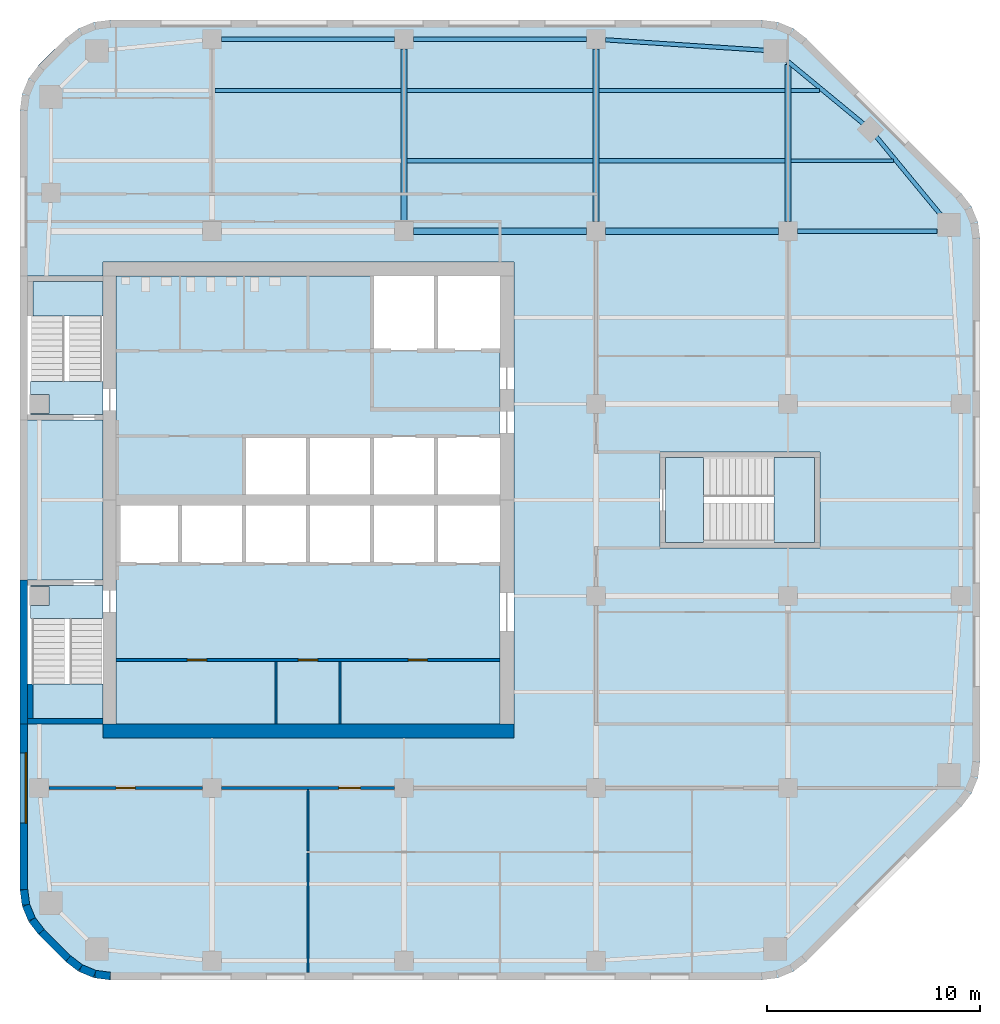
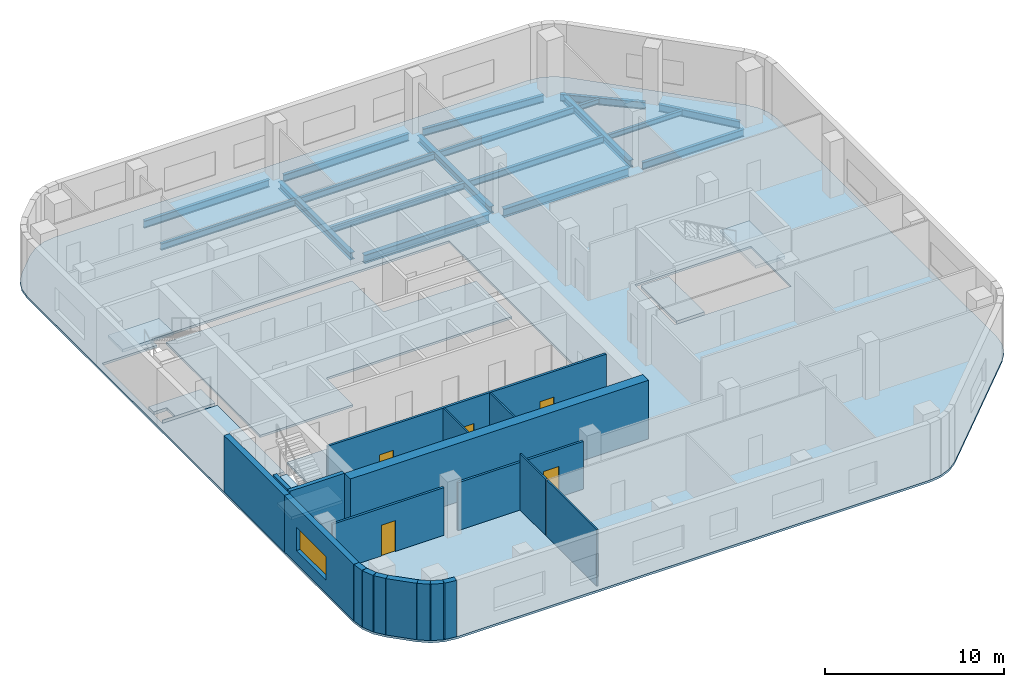
# One storey, part 2 of 8: 19 walls, 18 beams, 9 slabs, 5 doors, 1 window, 6 openings, 3 elements without a shape of their own.
"""IFC4 building model written with IfcOpenShell, lengths in metres."""

from ifc_helpers import new_model, si_unit, direction, frame, frame_2d, origin, origin_2d, place, context, subcontext, project, spatial, polyline, rectangle, i_section, outline, extrude, material, layer, layer_set, material_profile, profile_set, type_object, element, fill, aggregate, save


model = new_model("IFC4")

# Units and contexts
model_context = context("Model", 3, precision=1e-05, world=origin(), true_north=direction((0.0, 1.0)))
body_context = subcontext(model_context, "Body", "Model", "MODEL_VIEW")
ifc_project = project(units=[si_unit("LENGTHUNIT", "METRE"), si_unit("AREAUNIT", "SQUARE_METRE"), si_unit("VOLUMEUNIT", "CUBIC_METRE"), si_unit("PLANEANGLEUNIT", "RADIAN"), si_unit("MASSUNIT", "GRAM", prefix="KILO")], contexts=[model_context])

# Site, building, storey
site_placement = place(None, origin())
site = spatial("IfcSite", under=ifc_project, at=site_placement, CompositionType="ELEMENT")
building_placement = place(site_placement, origin())
building = spatial("IfcBuilding", under=site, at=building_placement, Name="Cinnabar Reach Civic Tower", CompositionType="ELEMENT")
storey_placement = place(building_placement, frame((0.0, 0.0, 165.0)))
storey = spatial("IfcBuildingStorey", under=building, at=storey_placement, Name="L39", CompositionType="ELEMENT", Elevation=165.0)

# Beams
ifc_material_1 = material(Name="Steel Q355B", Category="steel")
ifc_material_profile_1 = material_profile(ifc_material_1, i_section(OverallWidth=0.3, OverallDepth=0.488, WebThickness=0.011, FlangeThickness=0.018, FilletRadius=0.016, at=origin_2d()), Name="HM488x300x11x18")
ifc_profile_set_1 = profile_set([ifc_material_profile_1], Name="Steel Q355B")
beam_type_1 = type_object("IfcBeamType", Name="HM488x300x11x18 beam R 180", PredefinedType="BEAM", material=ifc_profile_set_1)
for number, where, z_axis, x_axis, name in (
    (1, (18.0, 44.552, -0.394), (0.0, 1.0, 0.0), (-1.0, 0.0, 0.0), "Girder T1 L39 6"),
    (2, (27.0, 44.552, -0.394), (0.0, 1.0, 0.0), (-1.0, 0.0, 0.0), "Girder T1 L39 11"),
):
    element("IfcBeam", number, at=place(storey_placement, frame(where, z_axis=z_axis, x_axis=x_axis)), inside=storey, type_object=beam_type_1, Name=name, PredefinedType="BEAM", context=body_context, shape_type="SweptSolid", body=[
        extrude(i_section(OverallWidth=0.3, OverallDepth=0.488, WebThickness=0.011, FlangeThickness=0.018, FilletRadius=0.016, at=origin_2d()), origin(), (0.0, 0.0, 1.0), 8.096),
    ])
beam_1_placement = place(storey_placement, frame((36.0, 44.552, -0.394), z_axis=(0.0, 1.0, 0.0), x_axis=(-1.0, 0.0, 0.0)))
element("IfcBeam", 3, at=beam_1_placement, inside=storey, type_object=beam_type_1, Name="Girder T1 L39 17", PredefinedType="BEAM", context=body_context, shape_type="SweptSolid", body=[
    extrude(i_section(OverallWidth=0.3, OverallDepth=0.488, WebThickness=0.011, FlangeThickness=0.018, FilletRadius=0.016, at=origin_2d()), origin(), (0.0, 0.0, 1.0), 7.3662),
])
ifc_material_profile_2 = material_profile(ifc_material_1, i_section(OverallWidth=0.3, OverallDepth=0.588, WebThickness=0.012, FlangeThickness=0.02, FilletRadius=0.016, at=origin_2d()), Name="HM588x300x12x20")
ifc_profile_set_2 = profile_set([ifc_material_profile_2], Name="Steel Q355B")
beam_type_2 = type_object("IfcBeamType", Name="HM588x300x12x20 beam R 180", PredefinedType="BEAM", material=ifc_profile_set_2)
for number, where, z_axis, x_axis, name in (
    (4, (18.452, 44.1, -0.444), (1.0, 0.0, 0.0), (0.0, 1.0, 0.0), "Girder T1 L39 14"),
    (5, (27.452, 44.1, -0.444), (1.0, 0.0, 0.0), (0.0, 1.0, 0.0), "Girder T1 L39 15"),
):
    element("IfcBeam", number, at=place(storey_placement, frame(where, z_axis=z_axis, x_axis=x_axis)), inside=storey, type_object=beam_type_2, Name=name, PredefinedType="BEAM", context=body_context, shape_type="SweptSolid", body=[
        extrude(i_section(OverallWidth=0.3, OverallDepth=0.588, WebThickness=0.012, FlangeThickness=0.02, FilletRadius=0.016, at=origin_2d()), origin(), (0.0, 0.0, 1.0), 8.096),
    ])
ifc_material_profile_3 = material_profile(ifc_material_1, i_section(OverallWidth=0.175, OverallDepth=0.35, WebThickness=0.007, FlangeThickness=0.011, FilletRadius=0.013, at=origin_2d()), Name="HN350x175x7x11")
ifc_profile_set_3 = profile_set([ifc_material_profile_3], Name="Steel Q355B")
beam_type_3 = type_object("IfcBeamType", Name="HN350x175x7x11 beam R 180", PredefinedType="BEAM", material=ifc_profile_set_3)
beam_2_placement = place(storey_placement, frame((36.152, 47.4, -0.325), z_axis=(1.0, 0.0, 0.0), x_axis=(0.0, 1.0, 0.0)))
element("IfcBeam", 6, at=beam_2_placement, inside=storey, type_object=beam_type_3, Name="Secondary beam T1 L39 20", PredefinedType="BEAM", context=body_context, shape_type="SweptSolid", body=[
    extrude(i_section(OverallWidth=0.175, OverallDepth=0.35, WebThickness=0.007, FlangeThickness=0.011, FilletRadius=0.013, at=origin_2d()), origin(), (0.0, 0.0, 1.0), 4.7866),
])
beam_3_placement = place(storey_placement, frame((36.152, 50.7, -0.325), z_axis=(1.0, 0.0, 0.0), x_axis=(0.0, 1.0, 0.0)))
element("IfcBeam", 7, at=beam_3_placement, inside=storey, type_object=beam_type_3, Name="Secondary beam T1 L39 25", PredefinedType="BEAM", context=body_context, shape_type="SweptSolid", body=[
    extrude(i_section(OverallWidth=0.175, OverallDepth=0.35, WebThickness=0.007, FlangeThickness=0.011, FilletRadius=0.013, at=origin_2d()), origin(), (0.0, 0.0, 1.0), 1.3249),
])
ifc_material_profile_4 = material_profile(ifc_material_1, i_section(OverallWidth=0.2, OverallDepth=0.45, WebThickness=0.009, FlangeThickness=0.014, FilletRadius=0.016, at=origin_2d()), Name="HN450x200x9x14")
ifc_profile_set_4 = profile_set([ifc_material_profile_4], Name="Steel Q355B")
beam_type_4 = type_object("IfcBeamType", Name="HN450x200x9x14 beam R 180", PredefinedType="BEAM", material=ifc_profile_set_4)
for number, where, z_axis, x_axis, name in (
    (8, (18.152, 47.4, -0.375), (1.0, 0.0, 0.0), (0.0, 1.0, 0.0), "Secondary beam T1 L39 18"),
    (9, (27.152, 47.4, -0.375), (1.0, 0.0, 0.0), (0.0, 1.0, 0.0), "Secondary beam T1 L39 19"),
    (10, (9.152, 50.7, -0.375), (1.0, 0.0, 0.0), (0.0, 1.0, 0.0), "Secondary beam T1 L39 22"),
    (11, (18.152, 50.7, -0.375), (1.0, 0.0, 0.0), (0.0, 1.0, 0.0), "Secondary beam T1 L39 23"),
    (12, (27.152, 50.7, -0.375), (1.0, 0.0, 0.0), (0.0, 1.0, 0.0), "Secondary beam T1 L39 24"),
):
    element("IfcBeam", number, at=place(storey_placement, frame(where, z_axis=z_axis, x_axis=x_axis)), inside=storey, type_object=beam_type_4, Name=name, PredefinedType="BEAM", context=body_context, shape_type="SweptSolid", body=[
        extrude(i_section(OverallWidth=0.2, OverallDepth=0.45, WebThickness=0.009, FlangeThickness=0.014, FilletRadius=0.016, at=origin_2d()), origin(), (0.0, 0.0, 1.0), 8.696),
    ])
ifc_material_profile_5 = material_profile(ifc_material_1, i_section(OverallWidth=0.2, OverallDepth=0.5, WebThickness=0.01, FlangeThickness=0.016, FilletRadius=0.016, at=origin_2d()), Name="HN500x200x10x16")
ifc_profile_set_5 = profile_set([ifc_material_profile_5], Name="Steel Q355B")
beam_type_5 = type_object("IfcBeamType", Name="HN500x200x10x16 beam R 180", PredefinedType="BEAM", material=ifc_profile_set_5)
for number, where, z_axis, x_axis, name in (
    (13, (43.1906, 44.8301, -0.4), (-0.63630880182, 0.771434448755, 0.0), (-0.771434448755, -0.63630880182, 0.0), "Edge beam T1 L39 9"),
    (14, (39.5598, 49.1142, -0.4), (-0.771434448755, 0.63630880182, 0.0), (-0.63630880182, -0.771434448755, 0.0), "Edge beam T1 L39 10"),
):
    element("IfcBeam", number, at=place(storey_placement, frame(where, z_axis=z_axis, x_axis=x_axis)), inside=storey, type_object=beam_type_5, Name=name, PredefinedType="BEAM", context=body_context, shape_type="SweptSolid", body=[
        extrude(i_section(OverallWidth=0.2, OverallDepth=0.5, WebThickness=0.01, FlangeThickness=0.016, FilletRadius=0.016, at=origin_2d()), origin(), (0.0, 0.0, 1.0), 4.8348),
    ])
beam_4_placement = place(storey_placement, frame((34.9661, 52.5754, -0.4), z_axis=(-0.99783894477, 0.065707231721, 0.0), x_axis=(-0.065707231721, -0.99783894477, 0.0)))
element("IfcBeam", 15, at=beam_4_placement, inside=storey, type_object=beam_type_5, Name="Edge beam T1 L39 11", PredefinedType="BEAM", context=body_context, shape_type="SweptSolid", body=[
    extrude(i_section(OverallWidth=0.2, OverallDepth=0.5, WebThickness=0.01, FlangeThickness=0.016, FilletRadius=0.016, at=origin_2d()), origin(), (0.0, 0.0, 1.0), 7.5304),
])
for number, where, z_axis, x_axis, name in (
    (16, (26.548, 53.1, -0.4), (-1.0, 0.0, 0.0), (0.0, -1.0, 0.0), "Edge beam T1 L39 12"),
    (17, (17.548, 53.1, -0.4), (-1.0, 0.0, 0.0), (0.0, -1.0, 0.0), "Edge beam T1 L39 13"),
):
    element("IfcBeam", number, at=place(storey_placement, frame(where, z_axis=z_axis, x_axis=x_axis)), inside=storey, type_object=beam_type_5, Name=name, PredefinedType="BEAM", context=body_context, shape_type="SweptSolid", body=[
        extrude(i_section(OverallWidth=0.2, OverallDepth=0.5, WebThickness=0.01, FlangeThickness=0.016, FilletRadius=0.016, at=origin_2d()), origin(), (0.0, 0.0, 1.0), 8.096),
    ])
beam_5_placement = place(storey_placement, frame((36.452, 44.1, -0.4), z_axis=(1.0, 0.0, 0.0), x_axis=(0.0, 1.0, 0.0)))
element("IfcBeam", 18, at=beam_5_placement, inside=storey, type_object=beam_type_5, Name="Girder T1 L39 16", PredefinedType="BEAM", context=body_context, shape_type="SweptSolid", body=[
    extrude(i_section(OverallWidth=0.2, OverallDepth=0.5, WebThickness=0.01, FlangeThickness=0.016, FilletRadius=0.016, at=origin_2d()), origin(), (0.0, 0.0, 1.0), 6.5429),
])

# Slab
ifc_material_2 = material(Name="Concrete C40", Category="concrete")
ifc_layer_1 = layer(ifc_material_2, 0.15)
ifc_layer_set_1 = layer_set([ifc_layer_1], Name="Composite floor slab 150 REI 150")
slab_type_1 = type_object("IfcSlabType", Name="Composite floor slab 150 REI 150", PredefinedType="FLOOR", material=ifc_layer_set_1)
slab_1_placement = place(storey_placement, frame((0.0, 0.0, -0.15)))
element("IfcSlab", 19, at=slab_1_placement, inside=storey, type_object=slab_type_1, Name="Composite floor slab 150 T1 L39", PredefinedType="FLOOR", context=body_context, shape_type="SweptSolid", body=[
    extrude(outline(polyline([(0.8787, 11.1213), (0.4019, 11.7426), (0.1022, 12.4662), (0.0, 13.2426), (0.0, 49.7574), (0.1022, 50.5338), (0.4019, 51.2574), (0.8787, 51.8787), (2.1213, 53.1213), (2.7426, 53.5981), (3.4662, 53.8978), (4.2426, 54.0), (34.7574, 54.0), (35.5338, 53.8978), (36.2574, 53.5981), (36.8787, 53.1213), (44.1213, 45.8787), (44.5981, 45.2574), (44.8978, 44.5338), (45.0, 43.7574), (45.0, 19.2426), (44.8978, 18.4662), (44.5981, 17.7426), (44.1213, 17.1213), (36.8787, 9.8787), (36.2574, 9.4019), (35.5338, 9.1022), (34.7574, 9.0), (4.2426, 9.0), (3.4662, 9.1022), (2.7426, 9.4019), (2.1213, 9.8787), (0.8787, 11.1213)]), holes=[polyline([(0.36, 21.0), (3.9, 21.0), (3.9, 20.35), (23.15, 20.35), (23.15, 42.65), (3.9, 42.65), (3.9, 42.0), (0.36, 42.0), (0.36, 35.25), (3.9, 35.25), (3.9, 27.75), (0.36, 27.75), (0.36, 21.0)]), polyline([(30.0, 33.75), (30.0, 29.25), (37.5, 29.25), (37.5, 33.75), (30.0, 33.75)])]), origin(), (0.0, 0.0, 1.0), 0.15),
])

# Stair, slabs
ifc_material_3 = material(Name="Concrete C40/50", Category="concrete")
stair_type = type_object("IfcStairType", Name="T1 Exit stair, half-turn", PredefinedType="HALF_TURN_STAIR", material=ifc_material_3)
stair_1_placement = place(storey_placement, origin())
stair_1 = element("IfcStair", 20, at=stair_1_placement, inside=storey, type_object=stair_type, Name="Stair T1-S1", PredefinedType="HALF_TURN_STAIR")
ifc_layer_2 = layer(ifc_material_3, 0.2)
ifc_layer_set_2 = layer_set([ifc_layer_2], Name="T1 Stair landing 200, Concrete C40/50")
slab_type_2 = type_object("IfcSlabType", Name="T1 Stair landing 200, Concrete C40/50", PredefinedType="LANDING", material=ifc_layer_set_2)
slab_2_placement = place(storey_placement, frame((0.0, 0.0, -0.2)))
slab_2 = element("IfcSlab", 21, at=slab_2_placement, type_object=slab_type_2, Name="T1-S1 landing 1", PredefinedType="LANDING", context=body_context, shape_type="SweptSolid", body=[
    extrude(outline(polyline([(0.5, 27.5), (3.9, 27.5), (3.9, 25.95), (0.5, 25.95), (0.5, 26.55), (1.35, 26.55), (1.35, 27.45), (0.5, 27.45), (0.5, 27.5)])), origin(), (0.0, 0.0, 1.0), 0.2),
])
slab_3_placement = place(storey_placement, frame((0.0, 0.0, 1.8)))
slab_3 = element("IfcSlab", 22, at=slab_3_placement, type_object=slab_type_2, Name="T1-S1 landing 2", PredefinedType="LANDING", context=body_context, shape_type="SweptSolid", body=[
    extrude(outline(polyline([(0.6, 21.25), (0.6, 22.87), (3.9, 22.87), (3.9, 21.25), (0.6, 21.25)])), origin(), (0.0, 0.0, 1.0), 0.2),
])
aggregate(stair_1, [slab_2, slab_3])

stair_2_placement = place(storey_placement, origin())
stair_2 = element("IfcStair", 23, at=stair_2_placement, inside=storey, type_object=stair_type, Name="Stair T1-S2", PredefinedType="HALF_TURN_STAIR")
slab_4_placement = place(storey_placement, frame((0.0, 0.0, -0.2)))
slab_4 = element("IfcSlab", 24, at=slab_4_placement, type_object=slab_type_2, Name="T1-S2 landing 1", PredefinedType="LANDING", context=body_context, shape_type="SweptSolid", body=[
    extrude(outline(polyline([(0.5, 37.05), (3.9, 37.05), (3.9, 35.5), (0.5, 35.5), (0.5, 35.55), (1.35, 35.55), (1.35, 36.45), (0.5, 36.45), (0.5, 37.05)])), origin(), (0.0, 0.0, 1.0), 0.2),
])
slab_5_placement = place(storey_placement, frame((0.0, 0.0, 1.8)))
slab_5 = element("IfcSlab", 25, at=slab_5_placement, type_object=slab_type_2, Name="T1-S2 landing 2", PredefinedType="LANDING", context=body_context, shape_type="SweptSolid", body=[
    extrude(outline(polyline([(0.6, 40.13), (0.6, 41.75), (3.9, 41.75), (3.9, 40.13), (0.6, 40.13)])), origin(), (0.0, 0.0, 1.0), 0.2),
])
aggregate(stair_2, [slab_4, slab_5])

stair_3_placement = place(storey_placement, origin())
stair_3 = element("IfcStair", 26, at=stair_3_placement, inside=storey, type_object=stair_type, Name="Stair T1-S3", PredefinedType="HALF_TURN_STAIR")
slab_6_placement = place(storey_placement, frame((0.0, 0.0, -0.2)))
slab_6 = element("IfcSlab", 27, at=slab_6_placement, type_object=slab_type_2, Name="T1-S3 landing 1", PredefinedType="LANDING", context=body_context, shape_type="SweptSolid", body=[
    extrude(outline(polyline([(30.25, 29.5), (32.05, 29.5), (32.05, 33.5), (30.25, 33.5), (30.25, 29.5)])), origin(), (0.0, 0.0, 1.0), 0.2),
])
slab_7_placement = place(storey_placement, frame((0.0, 0.0, 1.8)))
slab_7 = element("IfcSlab", 28, at=slab_7_placement, type_object=slab_type_2, Name="T1-S3 landing 2", PredefinedType="LANDING", context=body_context, shape_type="SweptSolid", body=[
    extrude(outline(polyline([(35.35, 29.5), (37.25, 29.5), (37.25, 33.5), (35.35, 33.5), (35.35, 29.5)])), origin(), (0.0, 0.0, 1.0), 0.2),
])
aggregate(stair_3, [slab_6, slab_7])

# Slabs
ifc_layer_3 = layer(ifc_material_3, 0.15)
ifc_layer_set_3 = layer_set([ifc_layer_3], Name="T1 core floor slab 150")
slab_type_3 = type_object("IfcSlabType", Name="T1 core floor slab 150", PredefinedType="FLOOR", material=ifc_layer_set_3)
slab_8_placement = place(storey_placement, frame((0.0, 0.0, -0.15)))
element("IfcSlab", 29, at=slab_8_placement, inside=storey, type_object=slab_type_3, Name="Core floor slab L39", PredefinedType="FLOOR", context=body_context, shape_type="SweptSolid", body=[
    extrude(outline(polyline([(22.5, 21.0), (4.5, 21.0), (4.5, 28.5), (7.5, 28.5), (10.5, 28.5), (13.5, 28.5), (16.5, 28.5), (19.5, 28.5), (22.5, 28.5), (22.5, 21.0)])), origin(), (0.0, 0.0, 1.0), 0.15),
])
slab_9_placement = place(storey_placement, frame((0.0, 0.0, -0.15)))
element("IfcSlab", 30, at=slab_9_placement, inside=storey, type_object=slab_type_3, Name="Core floor slab L39", PredefinedType="FLOOR", context=body_context, shape_type="SweptSolid", body=[
    extrude(outline(polyline([(22.5, 34.5), (19.5, 34.5), (16.5, 34.5), (13.5, 34.5), (10.5, 34.5), (10.5, 31.5), (7.5, 31.5), (4.5, 31.5), (4.5, 42.0), (16.5, 42.0), (16.5, 38.5), (19.5, 38.5), (22.5, 38.5), (22.5, 34.5)])), origin(), (0.0, 0.0, 1.0), 0.15),
])

# Walls
ifc_material_4 = material(Name="Facing brick with insulated backing", Category="masonry")
ifc_layer_4 = layer(ifc_material_4, 0.36)
ifc_layer_set_4 = layer_set([ifc_layer_4], Name="Brick corner wall")
wall_type_1 = type_object("IfcWallType", Name="Brick corner wall", PredefinedType="STANDARD", material=ifc_layer_set_4)
for number, where, z_axis, x_axis, name in (
    (31, (0.183, 13.2314, 0.0), (0.0, 0.0, 1.0), (0.13055608231, -0.99144092581, 0.0), "Brick corner wall"),
    (32, (0.2819, 12.5027, 0.0), (0.0, 0.0, 1.0), (0.382702709855, -0.923871547278, 0.0), "Brick corner wall"),
):
    element("IfcWall", number, at=place(storey_placement, frame(where, z_axis=z_axis, x_axis=x_axis)), inside=storey, type_object=wall_type_1, Name=name, PredefinedType="STANDARD", context=body_context, shape_type="SweptSolid", body=[
        extrude(rectangle(XDim=0.7131, YDim=0.36, at=frame_2d((0.3565, 0.0))), origin(), (0.0, 0.0, 1.0), 3.85),
    ])
for number, where, z_axis, x_axis, name in (
    (33, (0.566, 11.8245, 0.0), (0.0, 0.0, 1.0), (0.608802368033, -0.793321924995, 0.0), "Brick corner wall"),
    (34, (2.2587, 10.0002, 0.0), (0.0, 0.0, 1.0), (0.793321924995, -0.608802368033, 0.0), "Brick corner wall"),
):
    element("IfcWall", number, at=place(storey_placement, frame(where, z_axis=z_axis, x_axis=x_axis)), inside=storey, type_object=wall_type_1, Name=name, PredefinedType="STANDARD", context=body_context, shape_type="SweptSolid", body=[
        extrude(rectangle(XDim=0.7132, YDim=0.36, at=frame_2d((0.3566, 0.0))), origin(), (0.0, 0.0, 1.0), 3.85),
    ])
for number, where, z_axis, x_axis, name in (
    (35, (2.8439, 9.5548, 0.0), (0.0, 0.0, 1.0), (0.923871547278, -0.382702709855, 0.0), "Brick corner wall"),
    (36, (3.5244, 9.2761, 0.0), (0.0, 0.0, 1.0), (0.99144092581, -0.13055608231, 0.0), "Brick corner wall"),
):
    element("IfcWall", number, at=place(storey_placement, frame(where, z_axis=z_axis, x_axis=x_axis)), inside=storey, type_object=wall_type_1, Name=name, PredefinedType="STANDARD", context=body_context, shape_type="SweptSolid", body=[
        extrude(rectangle(XDim=0.7131, YDim=0.36, at=frame_2d((0.3565, 0.0))), origin(), (0.0, 0.0, 1.0), 3.85),
    ])
ifc_layer_5 = layer(ifc_material_4, 0.36)
ifc_layer_set_5 = layer_set([ifc_layer_5], Name="Brick pier and spandrel wall")
wall_type_2 = type_object("IfcWallType", Name="Brick pier and spandrel wall", PredefinedType="STANDARD", material=ifc_layer_set_5)
wall_1_placement = place(storey_placement, frame((0.18, 27.75, 0.0), z_axis=(0.0, 0.0, 1.0), x_axis=(0.0, -1.0, 0.0)))
element("IfcWall", 37, at=wall_1_placement, inside=storey, type_object=wall_type_2, Name="Brick facade wall", PredefinedType="STANDARD", context=body_context, shape_type="SweptSolid", body=[
    extrude(rectangle(XDim=6.75, YDim=0.36, at=frame_2d((3.375, 0.0))), origin(), (0.0, 0.0, 1.0), 3.85),
])

# Wall, opening, window
wall_2_placement = place(storey_placement, frame((0.18, 21.0, 0.0), z_axis=(0.0, 0.0, 1.0), x_axis=(0.0, -1.0, 0.0)))
wall_2 = element("IfcWall", 38, at=wall_2_placement, inside=storey, type_object=wall_type_2, Name="Brick facade wall", PredefinedType="STANDARD", context=body_context, shape_type="SweptSolid", body=[
    extrude(rectangle(XDim=7.7574, YDim=0.36, at=frame_2d((3.8787, 0.0))), origin(), (0.0, 0.0, 1.0), 3.85),
])
opening_1_placement = place(wall_2_placement, frame((1.35, 0.0, 0.9)))
opening_1 = element("IfcOpeningElement", 39, at=opening_1_placement, cuts=wall_2, Name="Opening W1820", PredefinedType="OPENING", context=body_context, shape_type="SweptSolid", body=[
    extrude(rectangle(XDim=3.3, YDim=1.6, at=frame_2d((1.65, 0.8))), frame((0.0, 0.19, 0.0), z_axis=(0.0, -1.0, 0.0), x_axis=(1.0, 0.0, 0.0)), (0.0, 0.0, 1.0), 0.38),
])
ifc_material_5 = material(Name="Clear double glazing in aluminium frame", Category="aluminium")
window_type = type_object("IfcWindowType", Name="Deep-set window A", PartitioningType="SINGLE_PANEL", PredefinedType="WINDOW", material=ifc_material_5)
window_placement = place(opening_1_placement, origin())
window = element("IfcWindow", 40, at=window_placement, inside=storey, type_object=window_type, Name="Window west face", OverallHeight=1.6, OverallWidth=3.3, PartitioningType="SINGLE_PANEL", PredefinedType="WINDOW", context=body_context, shape_type="SweptSolid", body=[
    extrude(rectangle(XDim=3.3, YDim=1.6, at=frame_2d((1.65, 0.8))), frame((0.0, 0.13, 0.0), z_axis=(0.0, -1.0, 0.0), x_axis=(1.0, 0.0, 0.0)), (0.0, 0.0, 1.0), 0.06),
])
fill(opening_1, window)

# Walls
wall_3_placement = place(storey_placement, frame((1.006, 11.2486, 0.0), z_axis=(0.0, 0.0, 1.0), x_axis=(0.707106781187, -0.707106781187, 0.0)))
element("IfcWall", 41, at=wall_3_placement, inside=storey, type_object=wall_type_2, Name="Brick facade wall", PredefinedType="STANDARD", context=body_context, shape_type="SweptSolid", body=[
    extrude(rectangle(XDim=1.7573, YDim=0.36, at=frame_2d((0.8787, 0.0))), origin(), (0.0, 0.0, 1.0), 3.85),
])
ifc_material_6 = material(Name="Concrete C70", Category="concrete")
ifc_layer_6 = layer(ifc_material_6, 0.65)
ifc_layer_set_6 = layer_set([ifc_layer_6], Name="Core wall 650 EI 180")
wall_type_3 = type_object("IfcWallType", Name="Core wall 650 EI 180", PredefinedType="SOLIDWALL", material=ifc_layer_set_6)
wall_4_placement = place(storey_placement, frame((3.9, 20.675, 0.0), z_axis=(0.0, 0.0, 1.0), x_axis=(1.0, 0.0, 0.0)))
element("IfcWall", 42, at=wall_4_placement, inside=storey, type_object=wall_type_3, Name="Core wall T1 L39 S", PredefinedType="SOLIDWALL", context=body_context, shape_type="SweptSolid", body=[
    extrude(rectangle(XDim=19.25, YDim=0.65, at=frame_2d((9.625, 0.0))), origin(), (0.0, 0.0, 1.0), 4.0),
])

# Wall, opening, door
ifc_material_7 = material(Name="Gypsum board on steel studs, double layer", Category="steel")
ifc_layer_7 = layer(ifc_material_7, 0.15)
ifc_layer_set_7 = layer_set([ifc_layer_7], Name="Corridor wall 150 T1")
wall_type_4 = type_object("IfcWallType", Name="Corridor wall 150 T1", PredefinedType="PARTITIONING", material=ifc_layer_set_7)
wall_5_placement = place(storey_placement, frame((1.35, 18.0, 0.0), z_axis=(0.0, 0.0, 1.0), x_axis=(1.0, 0.0, 0.0)))
wall_5 = element("IfcWall", 43, at=wall_5_placement, inside=storey, type_object=wall_type_4, Name="Corridor wall 18", PredefinedType="PARTITIONING", context=body_context, shape_type="SweptSolid", body=[
    extrude(rectangle(XDim=7.2, YDim=0.15, at=frame_2d((3.6, 0.0))), origin(), (0.0, 0.0, 1.0), 3.262),
])
opening_2_placement = place(wall_5_placement, frame((3.15, 0.0, 0.0)))
opening_2 = element("IfcOpeningElement", 44, at=opening_2_placement, cuts=wall_5, Name="Opening D4616", PredefinedType="OPENING", context=body_context, shape_type="SweptSolid", body=[
    extrude(rectangle(XDim=0.9, YDim=2.1, at=frame_2d((0.45, 1.05))), frame((0.0, 0.085, 0.0), z_axis=(0.0, -1.0, 0.0), x_axis=(1.0, 0.0, 0.0)), (0.0, 0.0, 1.0), 0.17),
])
ifc_material_8 = material(Name="Timber door leaf in steel frame", Category="steel")
door_type_1 = type_object("IfcDoorType", Name="Single swing door 900 x 2100 corridor T1", OperationType="SINGLE_SWING_LEFT", PredefinedType="DOOR", material=ifc_material_8)
door_1_placement = place(opening_2_placement, frame((0.9, 0.0, 0.0), z_axis=(0.0, 0.0, 1.0), x_axis=(-1.0, 0.0, 0.0)))
door_1 = element("IfcDoor", 45, at=door_1_placement, inside=storey, type_object=door_type_1, Name="Door D4616", OperationType="SINGLE_SWING_RIGHT", OverallHeight=2.1, OverallWidth=0.9, PredefinedType="DOOR", context=body_context, shape_type="SweptSolid", body=[
    extrude(rectangle(XDim=0.9, YDim=2.1, at=frame_2d((0.45, 1.05))), frame((0.0, 0.025, 0.0), z_axis=(0.0, -1.0, 0.0), x_axis=(1.0, 0.0, 0.0)), (0.0, 0.0, 1.0), 0.05),
])
fill(opening_2, door_1)

wall_6_placement = place(storey_placement, frame((9.45, 18.0, 0.0), z_axis=(0.0, 0.0, 1.0), x_axis=(1.0, 0.0, 0.0)))
wall_6 = element("IfcWall", 46, at=wall_6_placement, inside=storey, type_object=wall_type_4, Name="Corridor wall 19", PredefinedType="PARTITIONING", context=body_context, shape_type="SweptSolid", body=[
    extrude(rectangle(XDim=8.1, YDim=0.15, at=frame_2d((4.05, 0.0))), origin(), (0.0, 0.0, 1.0), 3.262),
])
opening_3_placement = place(wall_6_placement, frame((5.5, 0.0, 0.0)))
opening_3 = element("IfcOpeningElement", 47, at=opening_3_placement, cuts=wall_6, Name="Opening D4617", PredefinedType="OPENING", context=body_context, shape_type="SweptSolid", body=[
    extrude(rectangle(XDim=1.0, YDim=2.1, at=frame_2d((0.5, 1.05))), frame((0.0, 0.085, 0.0), z_axis=(0.0, -1.0, 0.0), x_axis=(1.0, 0.0, 0.0)), (0.0, 0.0, 1.0), 0.17),
])
door_type_2 = type_object("IfcDoorType", Name="Tenancy entrance door 1000 x 2100 T1", OperationType="SINGLE_SWING_LEFT", PredefinedType="DOOR", material=ifc_material_8)
door_2_placement = place(opening_3_placement, frame((1.0, 0.0, 0.0), z_axis=(0.0, 0.0, 1.0), x_axis=(-1.0, 0.0, 0.0)))
door_2 = element("IfcDoor", 48, at=door_2_placement, inside=storey, type_object=door_type_2, Name="Door D4617", OperationType="SINGLE_SWING_LEFT", OverallHeight=2.1, OverallWidth=1.0, PredefinedType="DOOR", context=body_context, shape_type="SweptSolid", body=[
    extrude(rectangle(XDim=1.0, YDim=2.1, at=frame_2d((0.5, 1.05))), frame((0.0, 0.025, 0.0), z_axis=(0.0, -1.0, 0.0), x_axis=(1.0, 0.0, 0.0)), (0.0, 0.0, 1.0), 0.05),
])
fill(opening_3, door_2)

# Wall, openings, doors
wall_7_placement = place(storey_placement, frame((4.5, 24.0, 0.0), z_axis=(0.0, 0.0, 1.0), x_axis=(1.0, 0.0, 0.0)))
wall_7 = element("IfcWall", 49, at=wall_7_placement, inside=storey, type_object=wall_type_4, Name="Corridor wall 26", PredefinedType="PARTITIONING", context=body_context, shape_type="SweptSolid", body=[
    extrude(rectangle(XDim=18.0, YDim=0.15, at=frame_2d((9.0, 0.0))), origin(), (0.0, 0.0, 1.0), 3.85),
])
opening_4_placement = place(wall_7_placement, frame((3.35, 0.0, 0.0)))
opening_4 = element("IfcOpeningElement", 50, at=opening_4_placement, cuts=wall_7, Name="Opening D4602", PredefinedType="OPENING", context=body_context, shape_type="SweptSolid", body=[
    extrude(rectangle(XDim=0.9, YDim=2.1, at=frame_2d((0.45, 1.05))), frame((0.0, 0.085, 0.0), z_axis=(0.0, -1.0, 0.0), x_axis=(1.0, 0.0, 0.0)), (0.0, 0.0, 1.0), 0.17),
])
opening_5_placement = place(wall_7_placement, frame((8.55, 0.0, 0.0)))
opening_5 = element("IfcOpeningElement", 51, at=opening_5_placement, cuts=wall_7, Name="Opening D4603", PredefinedType="OPENING", context=body_context, shape_type="SweptSolid", body=[
    extrude(rectangle(XDim=0.9, YDim=2.1, at=frame_2d((0.45, 1.05))), frame((0.0, 0.085, 0.0), z_axis=(0.0, -1.0, 0.0), x_axis=(1.0, 0.0, 0.0)), (0.0, 0.0, 1.0), 0.17),
])
opening_6_placement = place(wall_7_placement, frame((13.7, 0.0, 0.0)))
opening_6 = element("IfcOpeningElement", 52, at=opening_6_placement, cuts=wall_7, Name="Opening D4604", PredefinedType="OPENING", context=body_context, shape_type="SweptSolid", body=[
    extrude(rectangle(XDim=0.9, YDim=2.1, at=frame_2d((0.45, 1.05))), frame((0.0, 0.085, 0.0), z_axis=(0.0, -1.0, 0.0), x_axis=(1.0, 0.0, 0.0)), (0.0, 0.0, 1.0), 0.17),
])
door_3_placement = place(opening_4_placement, frame((0.9, 0.0, 0.0), z_axis=(0.0, 0.0, 1.0), x_axis=(-1.0, 0.0, 0.0)))
door_3 = element("IfcDoor", 53, at=door_3_placement, inside=storey, type_object=door_type_1, Name="Door D4602", OperationType="SINGLE_SWING_RIGHT", OverallHeight=2.1, OverallWidth=0.9, PredefinedType="DOOR", context=body_context, shape_type="SweptSolid", body=[
    extrude(rectangle(XDim=0.9, YDim=2.1, at=frame_2d((0.45, 1.05))), frame((0.0, 0.025, 0.0), z_axis=(0.0, -1.0, 0.0), x_axis=(1.0, 0.0, 0.0)), (0.0, 0.0, 1.0), 0.05),
])
fill(opening_4, door_3)
door_4_placement = place(opening_5_placement, frame((0.9, 0.0, 0.0), z_axis=(0.0, 0.0, 1.0), x_axis=(-1.0, 0.0, 0.0)))
door_4 = element("IfcDoor", 54, at=door_4_placement, inside=storey, type_object=door_type_1, Name="Door D4603", OperationType="SINGLE_SWING_RIGHT", OverallHeight=2.1, OverallWidth=0.9, PredefinedType="DOOR", context=body_context, shape_type="SweptSolid", body=[
    extrude(rectangle(XDim=0.9, YDim=2.1, at=frame_2d((0.45, 1.05))), frame((0.0, 0.025, 0.0), z_axis=(0.0, -1.0, 0.0), x_axis=(1.0, 0.0, 0.0)), (0.0, 0.0, 1.0), 0.05),
])
fill(opening_5, door_4)
door_5_placement = place(opening_6_placement, frame((0.9, 0.0, 0.0), z_axis=(0.0, 0.0, 1.0), x_axis=(-1.0, 0.0, 0.0)))
door_5 = element("IfcDoor", 55, at=door_5_placement, inside=storey, type_object=door_type_1, Name="Door D4604", OperationType="SINGLE_SWING_RIGHT", OverallHeight=2.1, OverallWidth=0.9, PredefinedType="DOOR", context=body_context, shape_type="SweptSolid", body=[
    extrude(rectangle(XDim=0.9, YDim=2.1, at=frame_2d((0.45, 1.05))), frame((0.0, 0.025, 0.0), z_axis=(0.0, -1.0, 0.0), x_axis=(1.0, 0.0, 0.0)), (0.0, 0.0, 1.0), 0.05),
])
fill(opening_6, door_5)

# Walls
ifc_material_9 = material(Name="Gypsum board on steel studs", Category="steel")
ifc_layer_8 = layer(ifc_material_9, 0.1)
ifc_layer_set_8 = layer_set([ifc_layer_8], Name="Partition wall 100 T1")
wall_type_5 = type_object("IfcWallType", Name="Partition wall 100 T1", PredefinedType="PARTITIONING", material=ifc_layer_set_8)
wall_8_placement = place(storey_placement, frame((13.5, 15.05, 0.0), z_axis=(0.0, 0.0, 1.0), x_axis=(0.0, 1.0, 0.0)))
element("IfcWall", 56, at=wall_8_placement, inside=storey, type_object=wall_type_5, Name="Partition wall 48", PredefinedType="PARTITIONING", context=body_context, shape_type="SweptSolid", body=[
    extrude(rectangle(XDim=2.875, YDim=0.1, at=frame_2d((1.4375, 0.0))), origin(), (0.0, 0.0, 1.0), 3.85),
])
wall_9_placement = place(storey_placement, frame((13.5, 9.36, 0.0), z_axis=(0.0, 0.0, 1.0), x_axis=(0.0, 1.0, 0.0)))
element("IfcWall", 57, at=wall_9_placement, inside=storey, type_object=wall_type_5, Name="Partition wall 49", PredefinedType="PARTITIONING", context=body_context, shape_type="SweptSolid", body=[
    extrude(rectangle(XDim=5.59, YDim=0.1, at=frame_2d((2.795, 0.0))), origin(), (0.0, 0.0, 1.0), 3.85),
])
for number, where, z_axis, x_axis, name in (
    (58, (12.0, 21.0, 0.0), (0.0, 0.0, 1.0), (0.0, 1.0, 0.0), "Partition wall 62"),
    (59, (15.0, 21.0, 0.0), (0.0, 0.0, 1.0), (0.0, 1.0, 0.0), "Partition wall 63"),
):
    element("IfcWall", number, at=place(storey_placement, frame(where, z_axis=z_axis, x_axis=x_axis)), inside=storey, type_object=wall_type_5, Name=name, PredefinedType="PARTITIONING", context=body_context, shape_type="SweptSolid", body=[
        extrude(rectangle(XDim=2.925, YDim=0.1, at=frame_2d((1.4625, 0.0))), origin(), (0.0, 0.0, 1.0), 3.85),
    ])
ifc_material_10 = material(Name="Concrete C60", Category="concrete")
ifc_layer_9 = layer(ifc_material_10, 0.25)
ifc_layer_set_9 = layer_set([ifc_layer_9], Name="Stair shaft wall 250 EI 120")
wall_type_6 = type_object("IfcWallType", Name="Stair shaft wall 250 EI 120", PredefinedType="SOLIDWALL", material=ifc_layer_set_9)
wall_10_placement = place(storey_placement, frame((0.36, 21.125, 0.0), z_axis=(0.0, 0.0, 1.0), x_axis=(1.0, 0.0, 0.0)))
element("IfcWall", 60, at=wall_10_placement, inside=storey, type_object=wall_type_6, Name="Stair shaft wall T1-S1 L39", PredefinedType="SOLIDWALL", context=body_context, shape_type="SweptSolid", body=[
    extrude(rectangle(XDim=3.54, YDim=0.25, at=frame_2d((1.77, 0.0))), origin(), (0.0, 0.0, 1.0), 4.0),
])
ifc_layer_10 = layer(ifc_material_3, 0.24)
ifc_layer_set_10 = layer_set([ifc_layer_10], Name="T1 landing bearer wall 240")
wall_type_7 = type_object("IfcWallType", Name="T1 landing bearer wall 240", PredefinedType="STANDARD", material=ifc_layer_set_10)
wall_11_placement = place(storey_placement, frame((0.48, 21.25, 0.0), z_axis=(0.0, 0.0, 1.0), x_axis=(0.0, 1.0, 0.0)))
element("IfcWall", 61, at=wall_11_placement, inside=storey, type_object=wall_type_7, Name="T1-S1 landing bearer wall", PredefinedType="STANDARD", context=body_context, shape_type="SweptSolid", body=[
    extrude(rectangle(XDim=1.62, YDim=0.24, at=frame_2d((0.81, 0.0))), origin(), (0.0, 0.0, 1.0), 4.0),
])

save(model, "model.ifc")
